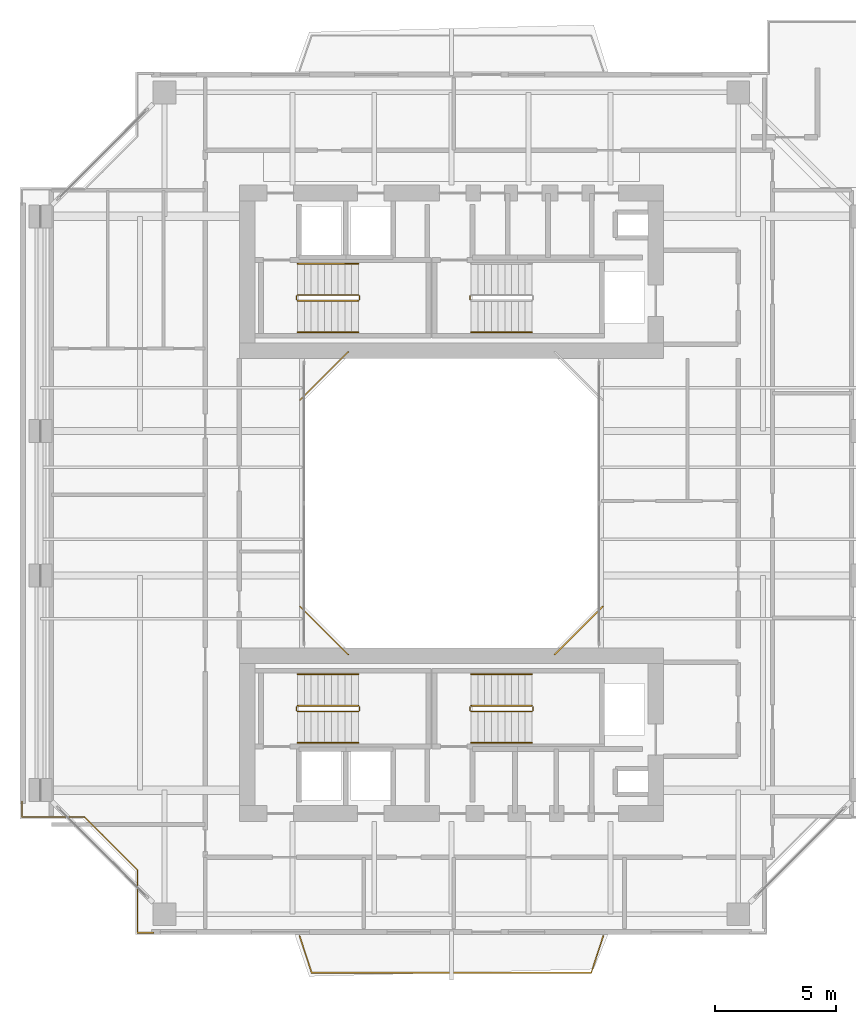
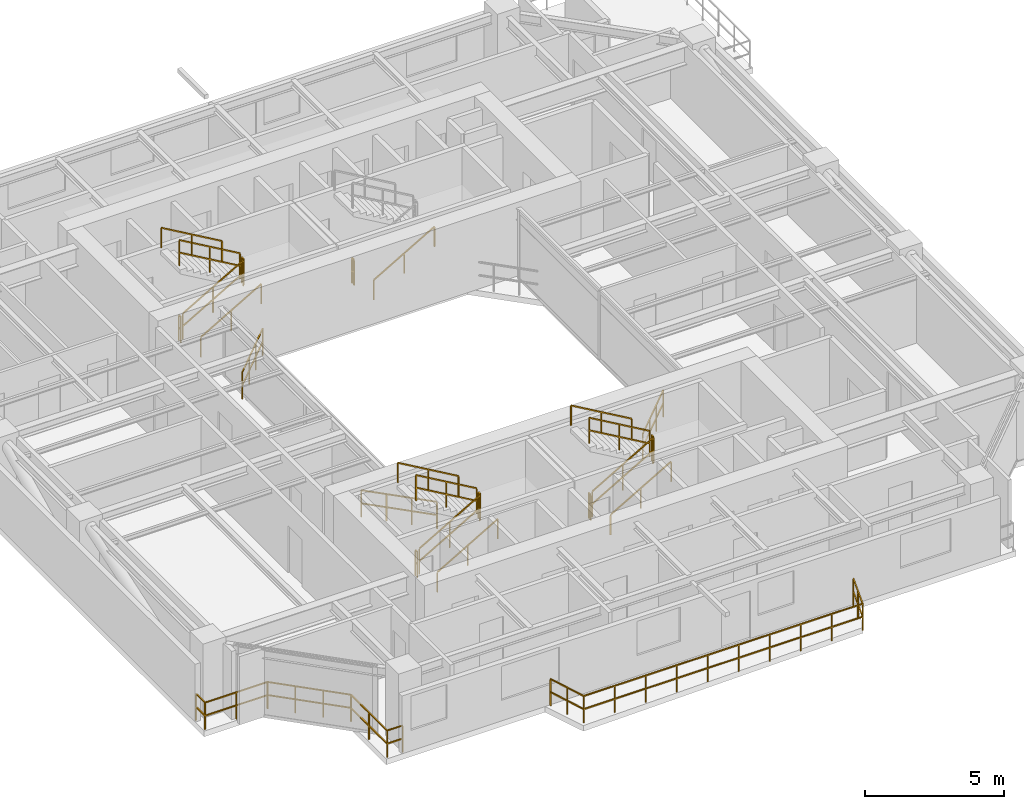
# One storey, part 12 of 14: 25 railings.
"""IFC4 building model written with IfcOpenShell, lengths in metres."""

from ifc_helpers import new_model, si_unit, direction, frame, origin, origin_2d, place, context, subcontext, project, spatial, rectangle, extrude, material, type_object, element, save


model = new_model("IFC4")

# Units and contexts
model_context = context("Model", 3, precision=1e-05, world=origin(), true_north=direction((0.0, 1.0)))
body_context = subcontext(model_context, "Body", "Model", "MODEL_VIEW")
ifc_project = project(units=[si_unit("LENGTHUNIT", "METRE"), si_unit("AREAUNIT", "SQUARE_METRE"), si_unit("VOLUMEUNIT", "CUBIC_METRE"), si_unit("PLANEANGLEUNIT", "RADIAN"), si_unit("MASSUNIT", "GRAM", prefix="KILO"), si_unit("THERMODYNAMICTEMPERATUREUNIT", "KELVIN"), si_unit("POWERUNIT", "WATT")], contexts=[model_context])

# Site, building, storey
site_placement = place(None, origin())
site = spatial("IfcSite", under=ifc_project, at=site_placement, CompositionType="ELEMENT")
building_placement = place(site_placement, origin())
building = spatial("IfcBuilding", under=site, at=building_placement, Name="Qiaomeng Ring Towers", CompositionType="ELEMENT")
storey_placement = place(building_placement, frame((0.0, 0.0, 173.0)))
storey = spatial("IfcBuildingStorey", under=building, at=storey_placement, Name="L50", CompositionType="ELEMENT", Elevation=173.0)

# Railings
ifc_material_1 = material(Name="Low-E pale-green laminated safety glass", Category="glass")
railing_type_1 = type_object("IfcRailingType", Name="ARC-RL-BAL1", PredefinedType="BALUSTRADE", material=ifc_material_1)
railing_1_placement = place(storey_placement, frame((23.280029296875, 16.719970703125, 0.0)))
element("IfcRailing", 1, at=railing_1_placement, inside=storey, type_object=railing_type_1, Name="L50 Balustrade ARC-BAL-WELL1-L50-1", PredefinedType="BALUSTRADE", context=body_context, shape_type="SweptSolid", body=[
    extrude(rectangle(XDim=0.048095703125, YDim=0.048095703125, at=origin_2d()), frame((0.0, 0.0, 1.17578125), z_axis=(0.707106781187, 0.707106781187, 0.0), x_axis=(-0.707106781187, 0.707106781187, 0.0)), (0.0, 0.0, 1.0), 2.828369140625),
    extrude(rectangle(XDim=0.048095703125, YDim=0.048095703125, at=origin_2d()), frame((0.0, 0.0, 0.60009765625), z_axis=(0.707106781187, 0.707106781187, 0.0), x_axis=(-0.707106781187, 0.707106781187, 0.0)), (0.0, 0.0, 1.0), 2.828369140625),
    extrude(rectangle(XDim=0.0419921875, YDim=0.0419921875, at=origin_2d()), origin(), (0.0, 0.0, 1.0), 1.15185546875),
    extrude(rectangle(XDim=0.0419921875, YDim=0.0419921875, at=origin_2d()), frame((0.666748046875, 0.666748046875, 0.0)), (0.0, 0.0, 1.0), 1.15185546875),
    extrude(rectangle(XDim=0.0419921875, YDim=0.0419921875, at=origin_2d()), frame((1.333251953125, 1.333251953125, 0.0)), (0.0, 0.0, 1.0), 1.15185546875),
    extrude(rectangle(XDim=0.0419921875, YDim=0.0419921875, at=origin_2d()), frame((2.0, 2.0, 0.0)), (0.0, 0.0, 1.0), 1.15185546875),
])
railing_2_placement = place(storey_placement, frame((14.719970703125, 29.280029296875, 0.0)))
element("IfcRailing", 2, at=railing_2_placement, inside=storey, type_object=railing_type_1, Name="L50 Balustrade ARC-BAL-WELL1-L50-3", PredefinedType="BALUSTRADE", context=body_context, shape_type="SweptSolid", body=[
    extrude(rectangle(XDim=0.048095703125, YDim=0.048095703125, at=origin_2d()), frame((0.0, 0.0, 1.17578125), z_axis=(-0.707106781187, -0.707106781187, 0.0), x_axis=(0.707106781187, -0.707106781187, 0.0)), (0.0, 0.0, 1.0), 2.828369140625),
    extrude(rectangle(XDim=0.048095703125, YDim=0.048095703125, at=origin_2d()), frame((0.0, 0.0, 0.60009765625), z_axis=(-0.707106781187, -0.707106781187, 0.0), x_axis=(0.707106781187, -0.707106781187, 0.0)), (0.0, 0.0, 1.0), 2.828369140625),
    extrude(rectangle(XDim=0.0419921875, YDim=0.0419921875, at=origin_2d()), origin(), (0.0, 0.0, 1.0), 1.15185546875),
    extrude(rectangle(XDim=0.0419921875, YDim=0.0419921875, at=origin_2d()), frame((-0.666748046875, -0.666748046875, 0.0)), (0.0, 0.0, 1.0), 1.15185546875),
    extrude(rectangle(XDim=0.0419921875, YDim=0.0419921875, at=origin_2d()), frame((-1.333251953125, -1.333251953125, 0.0)), (0.0, 0.0, 1.0), 1.15185546875),
    extrude(rectangle(XDim=0.0419921875, YDim=0.0419921875, at=origin_2d()), frame((-2.0, -2.0, 0.0)), (0.0, 0.0, 1.0), 1.15185546875),
])
railing_3_placement = place(storey_placement, frame((12.719970703125, 18.719970703125, 0.0)))
element("IfcRailing", 3, at=railing_3_placement, inside=storey, type_object=railing_type_1, Name="L50 Balustrade ARC-BAL-WELL1-L50-4", PredefinedType="BALUSTRADE", context=body_context, shape_type="SweptSolid", body=[
    extrude(rectangle(XDim=0.048095703125, YDim=0.048095703125, at=origin_2d()), frame((0.0, 0.0, 1.17578125), z_axis=(0.707106781187, -0.707106781187, 0.0), x_axis=(0.707106781187, 0.707106781187, 0.0)), (0.0, 0.0, 1.0), 2.828369140625),
    extrude(rectangle(XDim=0.048095703125, YDim=0.048095703125, at=origin_2d()), frame((0.0, 0.0, 0.60009765625), z_axis=(0.707106781187, -0.707106781187, 0.0), x_axis=(0.707106781187, 0.707106781187, 0.0)), (0.0, 0.0, 1.0), 2.828369140625),
    extrude(rectangle(XDim=0.0419921875, YDim=0.0419921875, at=origin_2d()), origin(), (0.0, 0.0, 1.0), 1.15185546875),
    extrude(rectangle(XDim=0.0419921875, YDim=0.0419921875, at=origin_2d()), frame((0.666748046875, -0.666748046875, 0.0)), (0.0, 0.0, 1.0), 1.15185546875),
    extrude(rectangle(XDim=0.0419921875, YDim=0.0419921875, at=origin_2d()), frame((1.333251953125, -1.333251953125, 0.0)), (0.0, 0.0, 1.0), 1.15185546875),
    extrude(rectangle(XDim=0.0419921875, YDim=0.0419921875, at=origin_2d()), frame((2.0, -2.0, 0.0)), (0.0, 0.0, 1.0), 1.15185546875),
])
railing_4_placement = place(storey_placement, frame((1.179931640625, 10.6298828125, 0.0)))
element("IfcRailing", 4, at=railing_4_placement, inside=storey, type_object=railing_type_1, Name="L50 Balustrade ARC-BAL-NOTCH1-L50-SW", PredefinedType="BALUSTRADE", context=body_context, shape_type="SweptSolid", body=[
    extrude(rectangle(XDim=0.048095703125, YDim=0.048095703125, at=origin_2d()), frame((0.0, 0.0, 1.17578125), z_axis=(0.0, -1.0, 0.0), x_axis=(1.0, 0.0, 0.0)), (0.0, 0.0, 1.0), 0.64990234375),
    extrude(rectangle(XDim=0.048095703125, YDim=0.048095703125, at=origin_2d()), frame((0.0, 0.0, 0.60009765625), z_axis=(0.0, -1.0, 0.0), x_axis=(1.0, 0.0, 0.0)), (0.0, 0.0, 1.0), 0.64990234375),
    extrude(rectangle(XDim=0.048095703125, YDim=0.048095703125, at=origin_2d()), frame((0.0, -0.64990234375, 1.17578125), z_axis=(1.0, 0.0, 0.0), x_axis=(0.0, 1.0, 0.0)), (0.0, 0.0, 1.0), 2.60009765625),
    extrude(rectangle(XDim=0.048095703125, YDim=0.048095703125, at=origin_2d()), frame((0.0, -0.64990234375, 0.60009765625), z_axis=(1.0, 0.0, 0.0), x_axis=(0.0, 1.0, 0.0)), (0.0, 0.0, 1.0), 2.60009765625),
    extrude(rectangle(XDim=0.048095703125, YDim=0.048095703125, at=origin_2d()), frame((2.60009765625, -0.64990234375, 1.17578125), z_axis=(0.707106781187, -0.707106781187, 0.0), x_axis=(0.707106781187, 0.707106781187, 0.0)), (0.0, 0.0, 1.0), 3.111083984375),
    extrude(rectangle(XDim=0.048095703125, YDim=0.048095703125, at=origin_2d()), frame((2.60009765625, -0.64990234375, 0.60009765625), z_axis=(0.707106781187, -0.707106781187, 0.0), x_axis=(0.707106781187, 0.707106781187, 0.0)), (0.0, 0.0, 1.0), 3.111083984375),
    extrude(rectangle(XDim=0.048095703125, YDim=0.048095703125, at=origin_2d()), frame((4.800048828125, -2.849853515625, 1.17578125), z_axis=(0.0, -1.0, 0.0), x_axis=(1.0, 0.0, 0.0)), (0.0, 0.0, 1.0), 2.60009765625),
    extrude(rectangle(XDim=0.048095703125, YDim=0.048095703125, at=origin_2d()), frame((4.800048828125, -2.849853515625, 0.60009765625), z_axis=(0.0, -1.0, 0.0), x_axis=(1.0, 0.0, 0.0)), (0.0, 0.0, 1.0), 2.60009765625),
    extrude(rectangle(XDim=0.048095703125, YDim=0.048095703125, at=origin_2d()), frame((4.800048828125, -5.449951171875, 1.17578125), z_axis=(1.0, 0.0, 0.0), x_axis=(0.0, 1.0, 0.0)), (0.0, 0.0, 1.0), 0.64990234375),
    extrude(rectangle(XDim=0.048095703125, YDim=0.048095703125, at=origin_2d()), frame((4.800048828125, -5.449951171875, 0.60009765625), z_axis=(1.0, 0.0, 0.0), x_axis=(0.0, 1.0, 0.0)), (0.0, 0.0, 1.0), 0.64990234375),
    extrude(rectangle(XDim=0.0419921875, YDim=0.0419921875, at=origin_2d()), origin(), (0.0, 0.0, 1.0), 1.15185546875),
    extrude(rectangle(XDim=0.0419921875, YDim=0.0419921875, at=origin_2d()), frame((0.0, -0.64990234375, 0.0)), (0.0, 0.0, 1.0), 1.15185546875),
    extrude(rectangle(XDim=0.0419921875, YDim=0.0419921875, at=origin_2d()), frame((1.300048828125, -0.64990234375, 0.0)), (0.0, 0.0, 1.0), 1.15185546875),
    extrude(rectangle(XDim=0.0419921875, YDim=0.0419921875, at=origin_2d()), frame((2.60009765625, -0.64990234375, 0.0)), (0.0, 0.0, 1.0), 1.15185546875),
    extrude(rectangle(XDim=0.0419921875, YDim=0.0419921875, at=origin_2d()), frame((3.33349609375, -1.38330078125, 0.0)), (0.0, 0.0, 1.0), 1.15185546875),
    extrude(rectangle(XDim=0.0419921875, YDim=0.0419921875, at=origin_2d()), frame((4.066650390625, -2.116455078125, 0.0)), (0.0, 0.0, 1.0), 1.15185546875),
    extrude(rectangle(XDim=0.0419921875, YDim=0.0419921875, at=origin_2d()), frame((4.800048828125, -2.849853515625, 0.0)), (0.0, 0.0, 1.0), 1.15185546875),
    extrude(rectangle(XDim=0.0419921875, YDim=0.0419921875, at=origin_2d()), frame((4.800048828125, -4.14990234375, 0.0)), (0.0, 0.0, 1.0), 1.15185546875),
    extrude(rectangle(XDim=0.0419921875, YDim=0.0419921875, at=origin_2d()), frame((4.800048828125, -5.449951171875, 0.0)), (0.0, 0.0, 1.0), 1.15185546875),
    extrude(rectangle(XDim=0.0419921875, YDim=0.0419921875, at=origin_2d()), frame((5.449951171875, -5.449951171875, 0.0)), (0.0, 0.0, 1.0), 1.15185546875),
])
railing_5_placement = place(storey_placement, frame((12.699951171875, 5.050048828125, 0.0)))
element("IfcRailing", 5, at=railing_5_placement, inside=storey, type_object=railing_type_1, Name="L50 Balustrade ARC-BAL-L50-T1-S", PredefinedType="BALUSTRADE", context=body_context, shape_type="SweptSolid", body=[
    extrude(rectangle(XDim=0.048095703125, YDim=0.048095703125, at=origin_2d()), frame((0.0, 0.0, 1.17578125), z_axis=(0.310625543041, -0.950532362421, 0.0), x_axis=(0.950532362421, 0.310625543041, 0.0)), (0.0, 0.0, 1.0), 1.609619140625),
    extrude(rectangle(XDim=0.048095703125, YDim=0.048095703125, at=origin_2d()), frame((0.0, 0.0, 0.60009765625), z_axis=(0.310625543041, -0.950532362421, 0.0), x_axis=(0.950532362421, 0.310625543041, 0.0)), (0.0, 0.0, 1.0), 1.609619140625),
    extrude(rectangle(XDim=0.048095703125, YDim=0.048095703125, at=origin_2d()), frame((0.5, -1.530029296875, 1.17578125), z_axis=(1.0, 0.0, 0.0), x_axis=(0.0, 1.0, 0.0)), (0.0, 0.0, 1.0), 11.60009765625),
    extrude(rectangle(XDim=0.048095703125, YDim=0.048095703125, at=origin_2d()), frame((0.5, -1.530029296875, 0.60009765625), z_axis=(1.0, 0.0, 0.0), x_axis=(0.0, 1.0, 0.0)), (0.0, 0.0, 1.0), 11.60009765625),
    extrude(rectangle(XDim=0.048095703125, YDim=0.048095703125, at=origin_2d()), frame((12.10009765625, -1.530029296875, 1.17578125), z_axis=(0.310625543041, 0.950532362421, 0.0), x_axis=(-0.950532362421, 0.310625543041, 0.0)), (0.0, 0.0, 1.0), 1.609619140625),
    extrude(rectangle(XDim=0.048095703125, YDim=0.048095703125, at=origin_2d()), frame((12.10009765625, -1.530029296875, 0.60009765625), z_axis=(0.310625543041, 0.950532362421, 0.0), x_axis=(-0.950532362421, 0.310625543041, 0.0)), (0.0, 0.0, 1.0), 1.609619140625),
    extrude(rectangle(XDim=0.0419921875, YDim=0.0419921875, at=origin_2d()), origin(), (0.0, 0.0, 1.0), 1.15185546875),
    extrude(rectangle(XDim=0.0419921875, YDim=0.0419921875, at=origin_2d()), frame((0.25, -0.76513671875, 0.0)), (0.0, 0.0, 1.0), 1.15185546875),
    extrude(rectangle(XDim=0.0419921875, YDim=0.0419921875, at=origin_2d()), frame((0.5, -1.530029296875, 0.0)), (0.0, 0.0, 1.0), 1.15185546875),
    extrude(rectangle(XDim=0.0419921875, YDim=0.0419921875, at=origin_2d()), frame((1.788818359375, -1.530029296875, 0.0)), (0.0, 0.0, 1.0), 1.15185546875),
    extrude(rectangle(XDim=0.0419921875, YDim=0.0419921875, at=origin_2d()), frame((3.077880859375, -1.530029296875, 0.0)), (0.0, 0.0, 1.0), 1.15185546875),
    extrude(rectangle(XDim=0.0419921875, YDim=0.0419921875, at=origin_2d()), frame((4.36669921875, -1.530029296875, 0.0)), (0.0, 0.0, 1.0), 1.15185546875),
    extrude(rectangle(XDim=0.0419921875, YDim=0.0419921875, at=origin_2d()), frame((5.655517578125, -1.530029296875, 0.0)), (0.0, 0.0, 1.0), 1.15185546875),
    extrude(rectangle(XDim=0.0419921875, YDim=0.0419921875, at=origin_2d()), frame((6.944580078125, -1.530029296875, 0.0)), (0.0, 0.0, 1.0), 1.15185546875),
    extrude(rectangle(XDim=0.0419921875, YDim=0.0419921875, at=origin_2d()), frame((8.2333984375, -1.530029296875, 0.0)), (0.0, 0.0, 1.0), 1.15185546875),
    extrude(rectangle(XDim=0.0419921875, YDim=0.0419921875, at=origin_2d()), frame((9.522216796875, -1.530029296875, 0.0)), (0.0, 0.0, 1.0), 1.15185546875),
    extrude(rectangle(XDim=0.0419921875, YDim=0.0419921875, at=origin_2d()), frame((10.811279296875, -1.530029296875, 0.0)), (0.0, 0.0, 1.0), 1.15185546875),
    extrude(rectangle(XDim=0.0419921875, YDim=0.0419921875, at=origin_2d()), frame((12.10009765625, -1.530029296875, 0.0)), (0.0, 0.0, 1.0), 1.15185546875),
    extrude(rectangle(XDim=0.0419921875, YDim=0.0419921875, at=origin_2d()), frame((12.35009765625, -0.76513671875, 0.0)), (0.0, 0.0, 1.0), 1.15185546875),
    extrude(rectangle(XDim=0.0419921875, YDim=0.0419921875, at=origin_2d()), frame((12.60009765625, 0.0, 0.0)), (0.0, 0.0, 1.0), 1.15185546875),
])
ifc_material_2 = material(Name="Galvanised steel", Category="steel")
railing_type_2 = type_object("IfcRailingType", Name="ARC-RL-GUARD", PredefinedType="GUARDRAIL", material=ifc_material_2)
railing_6_placement = place(storey_placement, frame((12.6201171875, 31.39990234375, 0.16259765625)))
element("IfcRailing", 6, at=railing_6_placement, inside=storey, type_object=railing_type_2, Name="L50 ST1 stair guard 1", PredefinedType="GUARDRAIL", context=body_context, shape_type="SweptSolid", body=[
    extrude(rectangle(XDim=0.048095703125, YDim=0.048095703125, at=origin_2d()), frame((0.0, 0.0, 1.1259765625), z_axis=(0.864892226395, 0.0, 0.501957604506), x_axis=(0.0, 1.0, 0.0)), (0.0, 0.0, 1.0), 2.913330078125),
    extrude(rectangle(XDim=0.048095703125, YDim=0.048095703125, at=origin_2d()), frame((0.0, 0.0, 0.574951171875), z_axis=(0.864892226395, 0.0, 0.501957604506), x_axis=(0.0, 1.0, 0.0)), (0.0, 0.0, 1.0), 2.913330078125),
    extrude(rectangle(XDim=0.0419921875, YDim=0.0419921875, at=origin_2d()), origin(), (0.0, 0.0, 1.0), 1.101806640625),
    extrude(rectangle(XDim=0.0419921875, YDim=0.0419921875, at=origin_2d()), frame((1.259765625, 0.0, 0.731201171875)), (0.0, 0.0, 1.0), 1.101806640625),
    extrude(rectangle(XDim=0.0419921875, YDim=0.0419921875, at=origin_2d()), frame((2.519775390625, 0.0, 1.46240234375)), (0.0, 0.0, 1.0), 1.101806640625),
])
railing_7_placement = place(storey_placement, frame((15.18994140625, 31.449951171875, 1.625)))
element("IfcRailing", 7, at=railing_7_placement, inside=storey, type_object=railing_type_2, Name="L50 ST1 stair guard 2", PredefinedType="GUARDRAIL", context=body_context, shape_type="SweptSolid", body=[
    extrude(rectangle(XDim=0.048095703125, YDim=0.048095703125, at=origin_2d()), frame((0.0, 0.0, 1.1259765625), z_axis=(0.0, 1.0, 0.0), x_axis=(-1.0, 0.0, 0.0)), (0.0, 0.0, 1.0), 0.14013671875),
    extrude(rectangle(XDim=0.048095703125, YDim=0.048095703125, at=origin_2d()), frame((0.0, 0.0, 0.574951171875), z_axis=(0.0, 1.0, 0.0), x_axis=(-1.0, 0.0, 0.0)), (0.0, 0.0, 1.0), 0.14013671875),
    extrude(rectangle(XDim=0.0419921875, YDim=0.0419921875, at=origin_2d()), origin(), (0.0, 0.0, 1.0), 1.101806640625),
    extrude(rectangle(XDim=0.0419921875, YDim=0.0419921875, at=origin_2d()), frame((0.0, 0.14013671875, 0.0)), (0.0, 0.0, 1.0), 1.101806640625),
])
railing_8_placement = place(storey_placement, frame((15.139892578125, 31.639892578125, 1.78759765625)))
element("IfcRailing", 8, at=railing_8_placement, inside=storey, type_object=railing_type_2, Name="L50 ST1 stair guard 3", PredefinedType="GUARDRAIL", context=body_context, shape_type="SweptSolid", body=[
    extrude(rectangle(XDim=0.048095703125, YDim=0.048095703125, at=origin_2d()), frame((0.0, 0.0, 1.1259765625), z_axis=(-0.864892226395, 0.0, 0.501957604506), x_axis=(0.0, -1.0, 0.0)), (0.0, 0.0, 1.0), 2.913330078125),
    extrude(rectangle(XDim=0.048095703125, YDim=0.048095703125, at=origin_2d()), frame((0.0, 0.0, 0.574951171875), z_axis=(-0.864892226395, 0.0, 0.501957604506), x_axis=(0.0, -1.0, 0.0)), (0.0, 0.0, 1.0), 2.913330078125),
    extrude(rectangle(XDim=0.0419921875, YDim=0.0419921875, at=origin_2d()), origin(), (0.0, 0.0, 1.0), 1.101806640625),
    extrude(rectangle(XDim=0.0419921875, YDim=0.0419921875, at=origin_2d()), frame((-1.259765625, 0.0, 0.731201171875)), (0.0, 0.0, 1.0), 1.101806640625),
    extrude(rectangle(XDim=0.0419921875, YDim=0.0419921875, at=origin_2d()), frame((-2.519775390625, 0.0, 1.46240234375)), (0.0, 0.0, 1.0), 1.101806640625),
])
for number, where, name in (
    (9, (12.570068359375, 31.449951171875, 0.0), "L50 ST1 stair guard 4"),
    (10, (19.77001953125, 31.449951171875, 0.0), "L50 ST2 stair guard 4"),
):
    element("IfcRailing", number, at=place(storey_placement, frame(where)), inside=storey, type_object=railing_type_2, Name=name, PredefinedType="GUARDRAIL", context=body_context, shape_type="SweptSolid", body=[
        extrude(rectangle(XDim=0.048095703125, YDim=0.048095703125, at=origin_2d()), frame((0.0, 0.0, 1.1259765625), z_axis=(0.0, 1.0, 0.0), x_axis=(-1.0, 0.0, 0.0)), (0.0, 0.0, 1.0), 0.14013671875),
        extrude(rectangle(XDim=0.048095703125, YDim=0.048095703125, at=origin_2d()), frame((0.0, 0.0, 0.574951171875), z_axis=(0.0, 1.0, 0.0), x_axis=(-1.0, 0.0, 0.0)), (0.0, 0.0, 1.0), 0.14013671875),
        extrude(rectangle(XDim=0.0419921875, YDim=0.0419921875, at=origin_2d()), origin(), (0.0, 0.0, 1.0), 1.101806640625),
        extrude(rectangle(XDim=0.0419921875, YDim=0.0419921875, at=origin_2d()), frame((0.0, 0.14013671875, 0.0)), (0.0, 0.0, 1.0), 1.101806640625),
    ])
railing_9_placement = place(storey_placement, frame((12.6201171875, 14.360107421875, 0.16259765625)))
element("IfcRailing", 11, at=railing_9_placement, inside=storey, type_object=railing_type_2, Name="L50 ST3 stair guard 1", PredefinedType="GUARDRAIL", context=body_context, shape_type="SweptSolid", body=[
    extrude(rectangle(XDim=0.048095703125, YDim=0.048095703125, at=origin_2d()), frame((0.0, 0.0, 1.1259765625), z_axis=(0.864892226395, 0.0, 0.501957604506), x_axis=(0.0, 1.0, 0.0)), (0.0, 0.0, 1.0), 2.913330078125),
    extrude(rectangle(XDim=0.048095703125, YDim=0.048095703125, at=origin_2d()), frame((0.0, 0.0, 0.574951171875), z_axis=(0.864892226395, 0.0, 0.501957604506), x_axis=(0.0, 1.0, 0.0)), (0.0, 0.0, 1.0), 2.913330078125),
    extrude(rectangle(XDim=0.0419921875, YDim=0.0419921875, at=origin_2d()), origin(), (0.0, 0.0, 1.0), 1.101806640625),
    extrude(rectangle(XDim=0.0419921875, YDim=0.0419921875, at=origin_2d()), frame((1.259765625, 0.0, 0.731201171875)), (0.0, 0.0, 1.0), 1.101806640625),
    extrude(rectangle(XDim=0.0419921875, YDim=0.0419921875, at=origin_2d()), frame((2.519775390625, 0.0, 1.46240234375)), (0.0, 0.0, 1.0), 1.101806640625),
])
railing_10_placement = place(storey_placement, frame((15.18994140625, 14.409912109375, 1.625)))
element("IfcRailing", 12, at=railing_10_placement, inside=storey, type_object=railing_type_2, Name="L50 ST3 stair guard 2", PredefinedType="GUARDRAIL", context=body_context, shape_type="SweptSolid", body=[
    extrude(rectangle(XDim=0.048095703125, YDim=0.048095703125, at=origin_2d()), frame((0.0, 0.0, 1.1259765625), z_axis=(0.0, 1.0, 0.0), x_axis=(-1.0, 0.0, 0.0)), (0.0, 0.0, 1.0), 0.14013671875),
    extrude(rectangle(XDim=0.048095703125, YDim=0.048095703125, at=origin_2d()), frame((0.0, 0.0, 0.574951171875), z_axis=(0.0, 1.0, 0.0), x_axis=(-1.0, 0.0, 0.0)), (0.0, 0.0, 1.0), 0.14013671875),
    extrude(rectangle(XDim=0.0419921875, YDim=0.0419921875, at=origin_2d()), origin(), (0.0, 0.0, 1.0), 1.101806640625),
    extrude(rectangle(XDim=0.0419921875, YDim=0.0419921875, at=origin_2d()), frame((0.0, 0.14013671875, 0.0)), (0.0, 0.0, 1.0), 1.101806640625),
])
railing_11_placement = place(storey_placement, frame((15.139892578125, 14.60009765625, 1.78759765625)))
element("IfcRailing", 13, at=railing_11_placement, inside=storey, type_object=railing_type_2, Name="L50 ST3 stair guard 3", PredefinedType="GUARDRAIL", context=body_context, shape_type="SweptSolid", body=[
    extrude(rectangle(XDim=0.048095703125, YDim=0.048095703125, at=origin_2d()), frame((0.0, 0.0, 1.1259765625), z_axis=(-0.864892226395, 0.0, 0.501957604506), x_axis=(0.0, -1.0, 0.0)), (0.0, 0.0, 1.0), 2.913330078125),
    extrude(rectangle(XDim=0.048095703125, YDim=0.048095703125, at=origin_2d()), frame((0.0, 0.0, 0.574951171875), z_axis=(-0.864892226395, 0.0, 0.501957604506), x_axis=(0.0, -1.0, 0.0)), (0.0, 0.0, 1.0), 2.913330078125),
    extrude(rectangle(XDim=0.0419921875, YDim=0.0419921875, at=origin_2d()), origin(), (0.0, 0.0, 1.0), 1.101806640625),
    extrude(rectangle(XDim=0.0419921875, YDim=0.0419921875, at=origin_2d()), frame((-1.259765625, 0.0, 0.731201171875)), (0.0, 0.0, 1.0), 1.101806640625),
    extrude(rectangle(XDim=0.0419921875, YDim=0.0419921875, at=origin_2d()), frame((-2.519775390625, 0.0, 1.46240234375)), (0.0, 0.0, 1.0), 1.101806640625),
])
railing_12_placement = place(storey_placement, frame((12.570068359375, 14.409912109375, 0.0)))
element("IfcRailing", 14, at=railing_12_placement, inside=storey, type_object=railing_type_2, Name="L50 ST3 stair guard 4", PredefinedType="GUARDRAIL", context=body_context, shape_type="SweptSolid", body=[
    extrude(rectangle(XDim=0.048095703125, YDim=0.048095703125, at=origin_2d()), frame((0.0, 0.0, 1.1259765625), z_axis=(0.0, 1.0, 0.0), x_axis=(-1.0, 0.0, 0.0)), (0.0, 0.0, 1.0), 0.14013671875),
    extrude(rectangle(XDim=0.048095703125, YDim=0.048095703125, at=origin_2d()), frame((0.0, 0.0, 0.574951171875), z_axis=(0.0, 1.0, 0.0), x_axis=(-1.0, 0.0, 0.0)), (0.0, 0.0, 1.0), 0.14013671875),
    extrude(rectangle(XDim=0.0419921875, YDim=0.0419921875, at=origin_2d()), origin(), (0.0, 0.0, 1.0), 1.101806640625),
    extrude(rectangle(XDim=0.0419921875, YDim=0.0419921875, at=origin_2d()), frame((0.0, 0.14013671875, 0.0)), (0.0, 0.0, 1.0), 1.101806640625),
])
railing_13_placement = place(storey_placement, frame((19.820068359375, 14.360107421875, 0.16259765625)))
element("IfcRailing", 15, at=railing_13_placement, inside=storey, type_object=railing_type_2, Name="L50 ST4 stair guard 1", PredefinedType="GUARDRAIL", context=body_context, shape_type="SweptSolid", body=[
    extrude(rectangle(XDim=0.048095703125, YDim=0.048095703125, at=origin_2d()), frame((0.0, 0.0, 1.1259765625), z_axis=(0.864913338283, 0.0, 0.50192122615), x_axis=(0.0, 1.0, 0.0)), (0.0, 0.0, 1.0), 2.91357421875),
    extrude(rectangle(XDim=0.048095703125, YDim=0.048095703125, at=origin_2d()), frame((0.0, 0.0, 0.574951171875), z_axis=(0.864913338283, 0.0, 0.50192122615), x_axis=(0.0, 1.0, 0.0)), (0.0, 0.0, 1.0), 2.91357421875),
    extrude(rectangle(XDim=0.0419921875, YDim=0.0419921875, at=origin_2d()), origin(), (0.0, 0.0, 1.0), 1.101806640625),
    extrude(rectangle(XDim=0.0419921875, YDim=0.0419921875, at=origin_2d()), frame((1.260009765625, 0.0, 0.731201171875)), (0.0, 0.0, 1.0), 1.101806640625),
    extrude(rectangle(XDim=0.0419921875, YDim=0.0419921875, at=origin_2d()), frame((2.52001953125, 0.0, 1.46240234375)), (0.0, 0.0, 1.0), 1.101806640625),
])
railing_14_placement = place(storey_placement, frame((22.389892578125, 14.409912109375, 1.625)))
element("IfcRailing", 16, at=railing_14_placement, inside=storey, type_object=railing_type_2, Name="L50 ST4 stair guard 2", PredefinedType="GUARDRAIL", context=body_context, shape_type="SweptSolid", body=[
    extrude(rectangle(XDim=0.048095703125, YDim=0.048095703125, at=origin_2d()), frame((0.0, 0.0, 1.1259765625), z_axis=(0.0, 1.0, 0.0), x_axis=(-1.0, 0.0, 0.0)), (0.0, 0.0, 1.0), 0.14013671875),
    extrude(rectangle(XDim=0.048095703125, YDim=0.048095703125, at=origin_2d()), frame((0.0, 0.0, 0.574951171875), z_axis=(0.0, 1.0, 0.0), x_axis=(-1.0, 0.0, 0.0)), (0.0, 0.0, 1.0), 0.14013671875),
    extrude(rectangle(XDim=0.0419921875, YDim=0.0419921875, at=origin_2d()), origin(), (0.0, 0.0, 1.0), 1.101806640625),
    extrude(rectangle(XDim=0.0419921875, YDim=0.0419921875, at=origin_2d()), frame((0.0, 0.14013671875, 0.0)), (0.0, 0.0, 1.0), 1.101806640625),
])
railing_15_placement = place(storey_placement, frame((22.340087890625, 14.60009765625, 1.78759765625)))
element("IfcRailing", 17, at=railing_15_placement, inside=storey, type_object=railing_type_2, Name="L50 ST4 stair guard 3", PredefinedType="GUARDRAIL", context=body_context, shape_type="SweptSolid", body=[
    extrude(rectangle(XDim=0.048095703125, YDim=0.048095703125, at=origin_2d()), frame((0.0, 0.0, 1.1259765625), z_axis=(-0.864913338283, 0.0, 0.50192122615), x_axis=(0.0, -1.0, 0.0)), (0.0, 0.0, 1.0), 2.91357421875),
    extrude(rectangle(XDim=0.048095703125, YDim=0.048095703125, at=origin_2d()), frame((0.0, 0.0, 0.574951171875), z_axis=(-0.864913338283, 0.0, 0.50192122615), x_axis=(0.0, -1.0, 0.0)), (0.0, 0.0, 1.0), 2.91357421875),
    extrude(rectangle(XDim=0.0419921875, YDim=0.0419921875, at=origin_2d()), origin(), (0.0, 0.0, 1.0), 1.101806640625),
    extrude(rectangle(XDim=0.0419921875, YDim=0.0419921875, at=origin_2d()), frame((-1.260009765625, 0.0, 0.731201171875)), (0.0, 0.0, 1.0), 1.101806640625),
    extrude(rectangle(XDim=0.0419921875, YDim=0.0419921875, at=origin_2d()), frame((-2.52001953125, 0.0, 1.46240234375)), (0.0, 0.0, 1.0), 1.101806640625),
])
railing_16_placement = place(storey_placement, frame((19.77001953125, 14.409912109375, 0.0)))
element("IfcRailing", 18, at=railing_16_placement, inside=storey, type_object=railing_type_2, Name="L50 ST4 stair guard 4", PredefinedType="GUARDRAIL", context=body_context, shape_type="SweptSolid", body=[
    extrude(rectangle(XDim=0.048095703125, YDim=0.048095703125, at=origin_2d()), frame((0.0, 0.0, 1.1259765625), z_axis=(0.0, 1.0, 0.0), x_axis=(-1.0, 0.0, 0.0)), (0.0, 0.0, 1.0), 0.14013671875),
    extrude(rectangle(XDim=0.048095703125, YDim=0.048095703125, at=origin_2d()), frame((0.0, 0.0, 0.574951171875), z_axis=(0.0, 1.0, 0.0), x_axis=(-1.0, 0.0, 0.0)), (0.0, 0.0, 1.0), 0.14013671875),
    extrude(rectangle(XDim=0.0419921875, YDim=0.0419921875, at=origin_2d()), origin(), (0.0, 0.0, 1.0), 1.101806640625),
    extrude(rectangle(XDim=0.0419921875, YDim=0.0419921875, at=origin_2d()), frame((0.0, 0.14013671875, 0.0)), (0.0, 0.0, 1.0), 1.101806640625),
])
ifc_material_3 = material(Name="Stainless steel 316", Category="steel")
railing_type_3 = type_object("IfcRailingType", Name="ARC-RL-HAND", PredefinedType="HANDRAIL", material=ifc_material_3)
railing_17_placement = place(storey_placement, frame((12.6201171875, 30.10009765625, 0.16259765625)))
element("IfcRailing", 19, at=railing_17_placement, inside=storey, type_object=railing_type_3, Name="L50 ST1 stair handrail 1", PredefinedType="HANDRAIL", context=body_context, shape_type="SweptSolid", body=[
    extrude(rectangle(XDim=0.048095703125, YDim=0.048095703125, at=origin_2d()), frame((0.0, 0.0, 0.8759765625), z_axis=(0.864892226395, 0.0, 0.501957604506), x_axis=(0.0, 1.0, 0.0)), (0.0, 0.0, 1.0), 2.913330078125),
    extrude(rectangle(XDim=0.0419921875, YDim=0.0419921875, at=origin_2d()), origin(), (0.0, 0.0, 1.0), 0.851806640625),
    extrude(rectangle(XDim=0.0419921875, YDim=0.0419921875, at=origin_2d()), frame((1.259765625, 0.0, 0.731201171875)), (0.0, 0.0, 1.0), 0.851806640625),
    extrude(rectangle(XDim=0.0419921875, YDim=0.0419921875, at=origin_2d()), frame((2.519775390625, 0.0, 1.46240234375)), (0.0, 0.0, 1.0), 0.851806640625),
])
railing_18_placement = place(storey_placement, frame((15.139892578125, 32.93994140625, 1.78759765625)))
element("IfcRailing", 20, at=railing_18_placement, inside=storey, type_object=railing_type_3, Name="L50 ST1 stair handrail 2", PredefinedType="HANDRAIL", context=body_context, shape_type="SweptSolid", body=[
    extrude(rectangle(XDim=0.048095703125, YDim=0.048095703125, at=origin_2d()), frame((0.0, 0.0, 0.8759765625), z_axis=(-0.864892226395, 0.0, 0.501957604506), x_axis=(0.0, -1.0, 0.0)), (0.0, 0.0, 1.0), 2.913330078125),
    extrude(rectangle(XDim=0.0419921875, YDim=0.0419921875, at=origin_2d()), origin(), (0.0, 0.0, 1.0), 0.851806640625),
    extrude(rectangle(XDim=0.0419921875, YDim=0.0419921875, at=origin_2d()), frame((-1.259765625, 0.0, 0.731201171875)), (0.0, 0.0, 1.0), 0.851806640625),
    extrude(rectangle(XDim=0.0419921875, YDim=0.0419921875, at=origin_2d()), frame((-2.519775390625, 0.0, 1.46240234375)), (0.0, 0.0, 1.0), 0.851806640625),
])
railing_19_placement = place(storey_placement, frame((19.820068359375, 30.10009765625, 0.16259765625)))
element("IfcRailing", 21, at=railing_19_placement, inside=storey, type_object=railing_type_3, Name="L50 ST2 stair handrail 1", PredefinedType="HANDRAIL", context=body_context, shape_type="SweptSolid", body=[
    extrude(rectangle(XDim=0.048095703125, YDim=0.048095703125, at=origin_2d()), frame((0.0, 0.0, 0.8759765625), z_axis=(0.864913338283, 0.0, 0.50192122615), x_axis=(0.0, 1.0, 0.0)), (0.0, 0.0, 1.0), 2.91357421875),
    extrude(rectangle(XDim=0.0419921875, YDim=0.0419921875, at=origin_2d()), origin(), (0.0, 0.0, 1.0), 0.851806640625),
    extrude(rectangle(XDim=0.0419921875, YDim=0.0419921875, at=origin_2d()), frame((1.260009765625, 0.0, 0.731201171875)), (0.0, 0.0, 1.0), 0.851806640625),
    extrude(rectangle(XDim=0.0419921875, YDim=0.0419921875, at=origin_2d()), frame((2.52001953125, 0.0, 1.46240234375)), (0.0, 0.0, 1.0), 0.851806640625),
])
railing_20_placement = place(storey_placement, frame((12.6201171875, 13.06005859375, 0.16259765625)))
element("IfcRailing", 22, at=railing_20_placement, inside=storey, type_object=railing_type_3, Name="L50 ST3 stair handrail 1", PredefinedType="HANDRAIL", context=body_context, shape_type="SweptSolid", body=[
    extrude(rectangle(XDim=0.048095703125, YDim=0.048095703125, at=origin_2d()), frame((0.0, 0.0, 0.8759765625), z_axis=(0.864892226395, 0.0, 0.501957604506), x_axis=(0.0, 1.0, 0.0)), (0.0, 0.0, 1.0), 2.913330078125),
    extrude(rectangle(XDim=0.0419921875, YDim=0.0419921875, at=origin_2d()), origin(), (0.0, 0.0, 1.0), 0.851806640625),
    extrude(rectangle(XDim=0.0419921875, YDim=0.0419921875, at=origin_2d()), frame((1.259765625, 0.0, 0.731201171875)), (0.0, 0.0, 1.0), 0.851806640625),
    extrude(rectangle(XDim=0.0419921875, YDim=0.0419921875, at=origin_2d()), frame((2.519775390625, 0.0, 1.46240234375)), (0.0, 0.0, 1.0), 0.851806640625),
])
railing_21_placement = place(storey_placement, frame((15.139892578125, 15.89990234375, 1.78759765625)))
element("IfcRailing", 23, at=railing_21_placement, inside=storey, type_object=railing_type_3, Name="L50 ST3 stair handrail 2", PredefinedType="HANDRAIL", context=body_context, shape_type="SweptSolid", body=[
    extrude(rectangle(XDim=0.048095703125, YDim=0.048095703125, at=origin_2d()), frame((0.0, 0.0, 0.8759765625), z_axis=(-0.864892226395, 0.0, 0.501957604506), x_axis=(0.0, -1.0, 0.0)), (0.0, 0.0, 1.0), 2.913330078125),
    extrude(rectangle(XDim=0.0419921875, YDim=0.0419921875, at=origin_2d()), origin(), (0.0, 0.0, 1.0), 0.851806640625),
    extrude(rectangle(XDim=0.0419921875, YDim=0.0419921875, at=origin_2d()), frame((-1.259765625, 0.0, 0.731201171875)), (0.0, 0.0, 1.0), 0.851806640625),
    extrude(rectangle(XDim=0.0419921875, YDim=0.0419921875, at=origin_2d()), frame((-2.519775390625, 0.0, 1.46240234375)), (0.0, 0.0, 1.0), 0.851806640625),
])
railing_22_placement = place(storey_placement, frame((19.820068359375, 13.06005859375, 0.16259765625)))
element("IfcRailing", 24, at=railing_22_placement, inside=storey, type_object=railing_type_3, Name="L50 ST4 stair handrail 1", PredefinedType="HANDRAIL", context=body_context, shape_type="SweptSolid", body=[
    extrude(rectangle(XDim=0.048095703125, YDim=0.048095703125, at=origin_2d()), frame((0.0, 0.0, 0.8759765625), z_axis=(0.864913338283, 0.0, 0.50192122615), x_axis=(0.0, 1.0, 0.0)), (0.0, 0.0, 1.0), 2.91357421875),
    extrude(rectangle(XDim=0.0419921875, YDim=0.0419921875, at=origin_2d()), origin(), (0.0, 0.0, 1.0), 0.851806640625),
    extrude(rectangle(XDim=0.0419921875, YDim=0.0419921875, at=origin_2d()), frame((1.260009765625, 0.0, 0.731201171875)), (0.0, 0.0, 1.0), 0.851806640625),
    extrude(rectangle(XDim=0.0419921875, YDim=0.0419921875, at=origin_2d()), frame((2.52001953125, 0.0, 1.46240234375)), (0.0, 0.0, 1.0), 0.851806640625),
])
railing_23_placement = place(storey_placement, frame((22.340087890625, 15.89990234375, 1.78759765625)))
element("IfcRailing", 25, at=railing_23_placement, inside=storey, type_object=railing_type_3, Name="L50 ST4 stair handrail 2", PredefinedType="HANDRAIL", context=body_context, shape_type="SweptSolid", body=[
    extrude(rectangle(XDim=0.048095703125, YDim=0.048095703125, at=origin_2d()), frame((0.0, 0.0, 0.8759765625), z_axis=(-0.864913338283, 0.0, 0.50192122615), x_axis=(0.0, -1.0, 0.0)), (0.0, 0.0, 1.0), 2.91357421875),
    extrude(rectangle(XDim=0.0419921875, YDim=0.0419921875, at=origin_2d()), origin(), (0.0, 0.0, 1.0), 0.851806640625),
    extrude(rectangle(XDim=0.0419921875, YDim=0.0419921875, at=origin_2d()), frame((-1.260009765625, 0.0, 0.731201171875)), (0.0, 0.0, 1.0), 0.851806640625),
    extrude(rectangle(XDim=0.0419921875, YDim=0.0419921875, at=origin_2d()), frame((-2.52001953125, 0.0, 1.46240234375)), (0.0, 0.0, 1.0), 0.851806640625),
])

save(model, "model.ifc")
